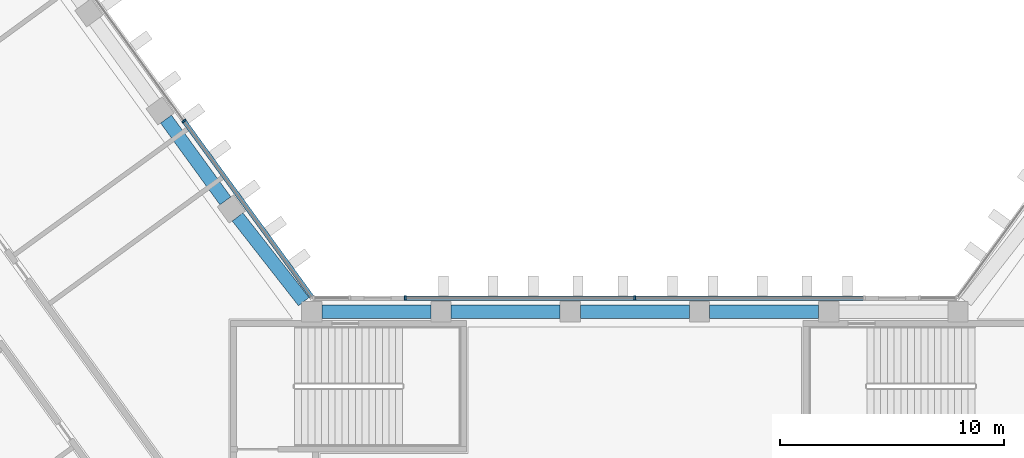
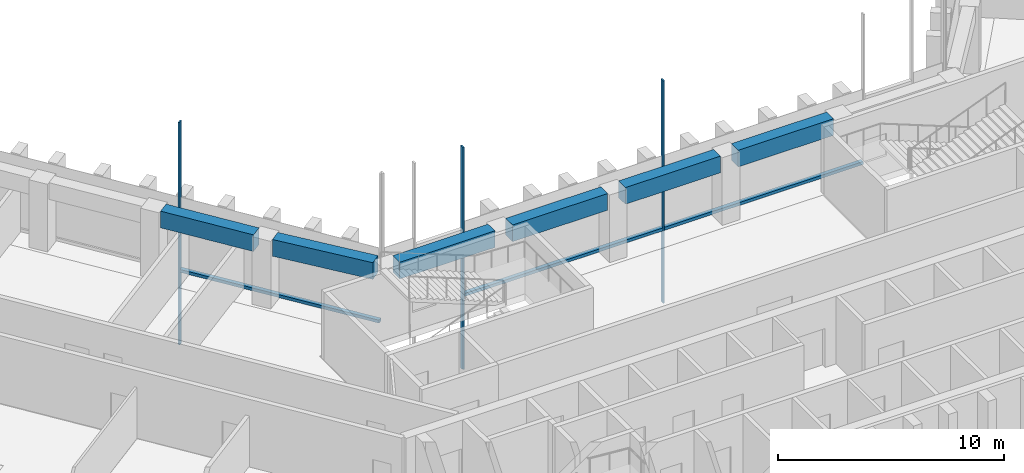
# One storey, part 3 of 19: 6 beams, 6 members, 2 elements without a shape of their own.
"""IFC4 building model written with IfcOpenShell, lengths in metres."""

from ifc_helpers import new_model, si_unit, direction, frame, origin, origin_2d, place, context, subcontext, project, spatial, rectangle, extrude, material, material_profile, profile_set, type_object, element, aggregate, save


model = new_model("IFC4")

# Units and contexts
model_context = context("Model", 3, precision=1e-05, world=origin(), true_north=direction((0.0, 1.0)))
body_context = subcontext(model_context, "Body", "Model", "MODEL_VIEW")
ifc_project = project(units=[si_unit("LENGTHUNIT", "METRE"), si_unit("AREAUNIT", "SQUARE_METRE"), si_unit("VOLUMEUNIT", "CUBIC_METRE"), si_unit("PLANEANGLEUNIT", "RADIAN"), si_unit("MASSUNIT", "GRAM", prefix="KILO")], contexts=[model_context])

# Site, building, storey
site_placement = place(None, origin())
site = spatial("IfcSite", under=ifc_project, at=site_placement, CompositionType="ELEMENT")
building_placement = place(site_placement, origin())
building = spatial("IfcBuilding", under=site, at=building_placement, Name="Quipu Civic Tower", CompositionType="ELEMENT")
storey_placement = place(building_placement, frame((0.0, 0.0, 47.0)))
storey = spatial("IfcBuildingStorey", under=building, at=storey_placement, Name="L10", CompositionType="ELEMENT", Elevation=47.0)

# Curtain wall, members
ifc_material_1 = material(Name="Insulated glass unit", Category="glass")
curtain_wall_type = type_object("IfcCurtainWallType", Name="Office curtain wall CW1", PredefinedType="NOTDEFINED", material=ifc_material_1)
curtain_wall_1_placement = place(storey_placement, origin())
curtain_wall_1 = element("IfcCurtainWall", 1, at=curtain_wall_1_placement, inside=storey, type_object=curtain_wall_type, Name="Office curtain wall CW1 L09 run 32", PredefinedType="NOTDEFINED")
ifc_material_2 = material(Name="Anodised aluminium", Category="aluminium")
ifc_material_profile_1 = material_profile(ifc_material_2, rectangle(XDim=0.199951171875, YDim=0.080078125, at=origin_2d()), Name="RECT 200x80")
ifc_profile_set_1 = profile_set([ifc_material_profile_1], Name="Anodised aluminium")
member_type_1 = type_object("IfcMemberType", Name="Mullion CW1", PredefinedType="MULLION", material=ifc_profile_set_1)
member_1_placement = place(storey_placement, frame((0.0, 11.10009765625, -3.919921875), z_axis=(0.0, 0.0, 1.0), x_axis=(0.0, -1.0, 0.0)))
member_1 = element("IfcMember", 2, at=member_1_placement, type_object=member_type_1, Name="CW1 mullion 2", PredefinedType="MULLION", context=body_context, shape_type="SweptSolid", body=[
    extrude(rectangle(XDim=0.199951171875, YDim=0.080078125, at=origin_2d()), origin(), (0.0, 0.0, 1.0), 12.0),
])
member_2_placement = place(storey_placement, frame((-10.223388671875, 11.10009765625, -3.919921875), z_axis=(0.0, 0.0, 1.0), x_axis=(0.0, -1.0, 0.0)))
member_2 = element("IfcMember", 3, at=member_2_placement, type_object=member_type_1, Name="CW1 mullion 3", PredefinedType="MULLION", context=body_context, shape_type="SweptSolid", body=[
    extrude(rectangle(XDim=0.199951171875, YDim=0.080078125, at=origin_2d()), origin(), (0.0, 0.0, 1.0), 12.0),
])

# Curtain wall, member
curtain_wall_2_placement = place(storey_placement, origin())
curtain_wall_2 = element("IfcCurtainWall", 4, at=curtain_wall_2_placement, inside=storey, type_object=curtain_wall_type, Name="Office curtain wall CW1 L09 run 35", PredefinedType="NOTDEFINED")
member_3_placement = place(storey_placement, frame((-20.08154296875, 18.996826171875, -3.919921875), z_axis=(0.0, 0.0, 1.0), x_axis=(-0.809016532822, -0.587785887566, 0.0)))
member_3 = element("IfcMember", 5, at=member_3_placement, type_object=member_type_1, Name="CW1 mullion 2", PredefinedType="MULLION", context=body_context, shape_type="SweptSolid", body=[
    extrude(rectangle(XDim=0.199951171875, YDim=0.080078125, at=origin_2d()), origin(), (0.0, 0.0, 1.0), 12.0),
])

# Beams
ifc_material_3 = material(Name="Concrete C50/60", Category="concrete")
ifc_material_profile_2 = material_profile(ifc_material_3, rectangle(XDim=0.60009765625, YDim=0.89990234375, at=origin_2d()), Name="RC600x900")
ifc_profile_set_2 = profile_set([ifc_material_profile_2], Name="Concrete C50/60")
beam_type = type_object("IfcBeamType", Name="Spandrel beam RC 600x900 C50/60", PredefinedType="SPANDREL", material=ifc_profile_set_2)
beam_1_placement = place(storey_placement, frame((-18.238037109375, 15.43896484375, 3.199951171875), z_axis=(-0.587716763865, 0.809066749701, 0.0), x_axis=(-0.809066749701, -0.587716763865, 0.0)))
element("IfcBeam", 6, at=beam_1_placement, inside=storey, type_object=beam_type, Name="Spandrel beam L10 W-IN-01 to W-IN-02", PredefinedType="SPANDREL", context=body_context, shape_type="SweptSolid", body=[
    extrude(rectangle(XDim=0.60009765625, YDim=0.89990234375, at=origin_2d()), origin(), (0.0, 0.0, 1.0), 4.5),
])
for number, where, z_axis, x_axis, name in (
    (7, (8.18701171875, 10.5, 3.199951171875), (-1.0, 0.0, 0.0), (0.0, -1.0, 0.0), "Spandrel beam L10 FRONT-01 to FRONT-02"),
    (8, (2.428955078125, 10.5, 3.199951171875), (-1.0, 0.0, 0.0), (0.0, -1.0, 0.0), "Spandrel beam L10 FRONT-02 to FRONT-03"),
    (9, (-3.3291015625, 10.5, 3.199951171875), (-1.0, 0.0, 0.0), (0.0, -1.0, 0.0), "Spandrel beam L10 FRONT-03 to FRONT-04"),
):
    element("IfcBeam", number, at=place(storey_placement, frame(where, z_axis=z_axis, x_axis=x_axis)), inside=storey, type_object=beam_type, Name=name, PredefinedType="SPANDREL", context=body_context, shape_type="SweptSolid", body=[
        extrude(rectangle(XDim=0.60009765625, YDim=0.89990234375, at=origin_2d()), origin(), (0.0, 0.0, 1.0), 4.85791015625),
    ])
beam_2_placement = place(storey_placement, frame((-9.087158203125, 10.5, 3.199951171875), z_axis=(-1.0, 0.0, 0.0), x_axis=(0.0, -1.0, 0.0)))
element("IfcBeam", 10, at=beam_2_placement, inside=storey, type_object=beam_type, Name="Spandrel beam L10 FRONT-04 to J-Wi.0", PredefinedType="SPANDREL", context=body_context, shape_type="SweptSolid", body=[
    extrude(rectangle(XDim=0.60009765625, YDim=0.89990234375, at=origin_2d()), origin(), (0.0, 0.0, 1.0), 4.858154296875),
])
beam_3_placement = place(storey_placement, frame((-14.7470703125, 10.949951171875, 3.199951171875), z_axis=(-0.616123961998, 0.787649200756, 0.0), x_axis=(-0.787649200756, -0.616123961998, 0.0)))
element("IfcBeam", 11, at=beam_3_placement, inside=storey, type_object=beam_type, Name="Spandrel beam L10 J-Wi.0 to W-IN-01", PredefinedType="SPANDREL", context=body_context, shape_type="SweptSolid", body=[
    extrude(rectangle(XDim=0.60009765625, YDim=0.89990234375, at=origin_2d()), origin(), (0.0, 0.0, 1.0), 4.78662109375),
])

# Member
ifc_material_4 = material(Name="Anodised aluminium", Category="aluminium")
ifc_material_profile_3 = material_profile(ifc_material_4, rectangle(XDim=0.199951171875, YDim=0.159912109375, at=origin_2d()), Name="RECT 200x160")
ifc_profile_set_3 = profile_set([ifc_material_profile_3], Name="Anodised aluminium")
member_type_2 = type_object("IfcMemberType", Name="Transom CW1", PredefinedType="USERDEFINED", material=ifc_profile_set_3)
member_4_placement = place(storey_placement, frame((10.18359375, 11.10009765625, 0.080078125), z_axis=(-1.0, 0.0, 0.0), x_axis=(0.0, -1.0, 0.0)))
member_4 = element("IfcMember", 12, at=member_4_placement, type_object=member_type_2, Name="CW1 transom 1.2", ObjectType="TRANSOM", PredefinedType="USERDEFINED", context=body_context, shape_type="SweptSolid", body=[
    extrude(rectangle(XDim=0.199951171875, YDim=0.159912109375, at=origin_2d()), origin(), (0.0, 0.0, 1.0), 10.1435546875),
])

member_5_placement = place(storey_placement, frame((-0.0400390625, 11.10009765625, 0.080078125), z_axis=(-1.0, 0.0, 0.0), x_axis=(0.0, -1.0, 0.0)))
member_5 = element("IfcMember", 13, at=member_5_placement, type_object=member_type_2, Name="CW1 transom 2.2", ObjectType="TRANSOM", PredefinedType="USERDEFINED", context=body_context, shape_type="SweptSolid", body=[
    extrude(rectangle(XDim=0.199951171875, YDim=0.159912109375, at=origin_2d()), origin(), (0.0, 0.0, 1.0), 10.1435546875),
])

aggregate(curtain_wall_1, [member_1, member_2, member_4, member_5])

member_6_placement = place(storey_placement, frame((-14.39111328125, 11.164794921875, 0.080078125), z_axis=(-0.58779220199, 0.809011945079, 0.0), x_axis=(-0.809011945079, -0.58779220199, 0.0)))
member_6 = element("IfcMember", 14, at=member_6_placement, type_object=member_type_2, Name="CW1 transom 1.2", ObjectType="TRANSOM", PredefinedType="USERDEFINED", context=body_context, shape_type="SweptSolid", body=[
    extrude(rectangle(XDim=0.199951171875, YDim=0.159912109375, at=origin_2d()), origin(), (0.0, 0.0, 1.0), 9.64111328125),
])

aggregate(curtain_wall_2, [member_3, member_6])

save(model, "model.ifc")
